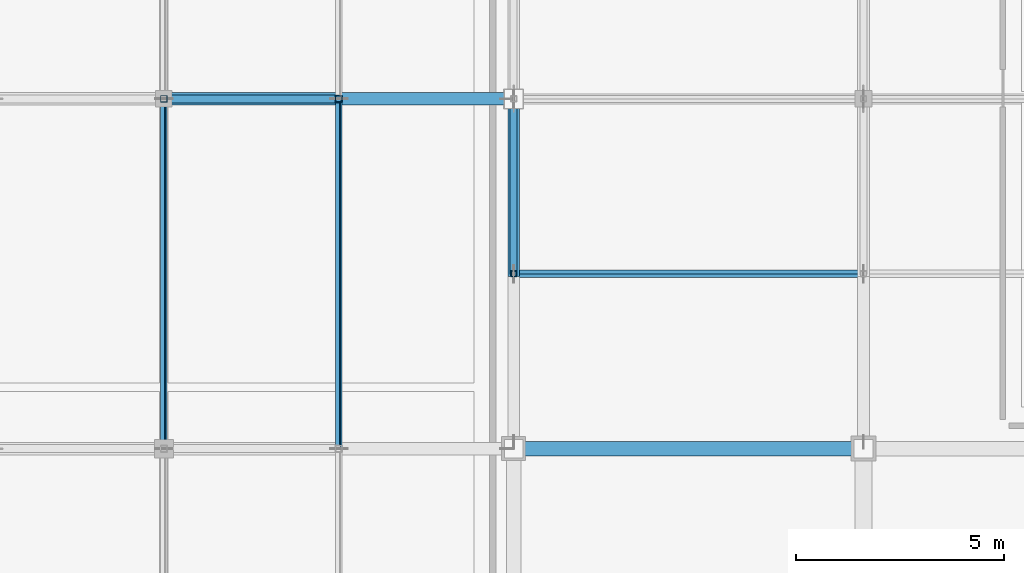
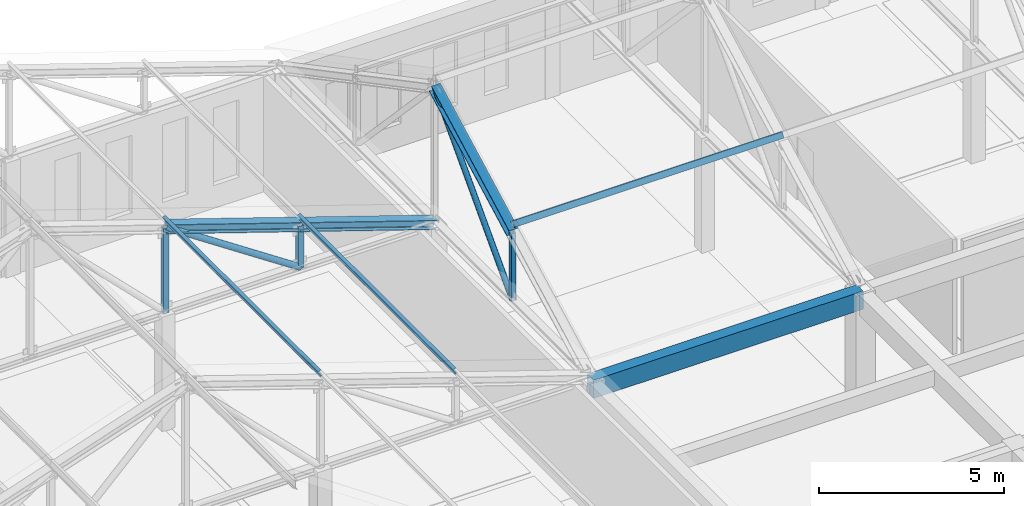
# One storey, part 16 of 56: 11 members, 1 beam.
"""IFC4 building model written with IfcOpenShell, lengths in metres."""

from ifc_helpers import new_model, si_unit, direction, frame, origin, origin_2d, place, context, subcontext, project, spatial, rectangle, hollow_rectangle, hollow_circle, i_section, extrude, material, material_profile, profile_set, type_object, element, save


model = new_model("IFC4")

# Units and contexts
model_context = context("Model", 3, precision=1e-05, world=origin(), true_north=direction((0.0, 1.0)))
body_context = subcontext(model_context, "Body", "Model", "MODEL_VIEW")
ifc_project = project(units=[si_unit("LENGTHUNIT", "METRE"), si_unit("AREAUNIT", "SQUARE_METRE"), si_unit("VOLUMEUNIT", "CUBIC_METRE"), si_unit("PLANEANGLEUNIT", "RADIAN"), si_unit("MASSUNIT", "GRAM", prefix="KILO")], contexts=[model_context])

# Site, building, storey
site_placement = place(None, origin())
site = spatial("IfcSite", under=ifc_project, at=site_placement, CompositionType="ELEMENT")
building_placement = place(site_placement, origin())
building = spatial("IfcBuilding", under=site, at=building_placement, Name="Kveldsbrygga Polytechnic", CompositionType="ELEMENT")
storey_placement = place(building_placement, frame((0.0, 0.0, 18.02001953125)))
storey = spatial("IfcBuildingStorey", under=building, at=storey_placement, Name="L04", CompositionType="ELEMENT", Elevation=18.02001953125)

# Beam
ifc_material_1 = material(Name="Concrete C35/45", Category="concrete")
ifc_material_profile_1 = material_profile(ifc_material_1, rectangle(XDim=0.35009765625, YDim=0.60009765625, at=origin_2d()), Name="RC 350x600")
ifc_profile_set_1 = profile_set([ifc_material_profile_1], Name="Concrete C35/45")
beam_type = type_object("IfcBeamType", Name="BM-SPANDREL-600", PredefinedType="T_BEAM", material=ifc_profile_set_1)
beam_placement = place(storey_placement, frame((126.0, 100.800048828125, 3.47998046875), z_axis=(1.0, 0.0, 0.0), x_axis=(0.0, 1.0, 0.0)))
element("IfcBeam", 1, at=beam_placement, inside=storey, type_object=beam_type, Name="Primary Beam BMX-L04-15to16-12", PredefinedType="T_BEAM", context=body_context, shape_type="SweptSolid", body=[
    extrude(rectangle(XDim=0.35009765625, YDim=0.60009765625, at=origin_2d()), origin(), (0.0, 0.0, 1.0), 8.39990234375),
])

# Members
ifc_material_2 = material(Name="Steel S355", Category="steel")
ifc_material_profile_2 = material_profile(ifc_material_2, hollow_circle(Radius=0.084228515625, WallThickness=0.010009765625, at=origin_2d()), Name="CHS 168.3x10.0")
ifc_profile_set_2 = profile_set([ifc_material_profile_2], Name="Steel S355")
member_type_1 = type_object("IfcMemberType", Name="BR-WIND-CHS168", PredefinedType="BRACE", material=ifc_profile_set_2)
member_1_placement = place(storey_placement, frame((126.0, 105.0, 3.780029296875), z_axis=(0.0, 0.686383320151, 0.727239945148), x_axis=(-1.0, 0.0, 0.0)))
element("IfcMember", 2, at=member_1_placement, inside=storey, type_object=member_type_1, Name="Truss Diagonal V4N5-T01-DG-2", PredefinedType="BRACE", context=body_context, shape_type="SweptSolid", body=[
    extrude(hollow_circle(Radius=0.084228515625, WallThickness=0.010009765625, at=origin_2d()), origin(), (0.0, 0.0, 1.0), 6.118896484375),
])
ifc_material_profile_3 = material_profile(ifc_material_2, i_section(OverallWidth=0.10009765625, OverallDepth=0.199951171875, WebThickness=0.005615234375, FlangeThickness=0.008544921875, FilletRadius=0.011962890625, at=origin_2d()), Name="IPE 200")
ifc_profile_set_3 = profile_set([ifc_material_profile_3], Name="Steel S355")
member_type_2 = type_object("IfcMemberType", Name="PRL-IPE200", PredefinedType="PURLIN", material=ifc_profile_set_3)
for number, where, z_axis, x_axis, name in (
    (3, (117.60009765625, 100.800048828125, 6.838134765625), (0.0, 1.0, 0.0), (-0.948683567514, 0.0, -0.316226957624), "Roof Purlin V4NE5-PRL-3-4"),
    (4, (121.800048828125, 100.800048828125, 5.438232421875), (0.0, 1.0, 0.0), (-0.948683567514, 0.0, -0.316226957624), "Roof Purlin V4NE5-PRL-3-5"),
):
    element("IfcMember", number, at=place(storey_placement, frame(where, z_axis=z_axis, x_axis=x_axis)), inside=storey, type_object=member_type_2, Name=name, PredefinedType="PURLIN", context=body_context, shape_type="SweptSolid", body=[
        extrude(i_section(OverallWidth=0.10009765625, OverallDepth=0.199951171875, WebThickness=0.005615234375, FlangeThickness=0.008544921875, FilletRadius=0.011962890625, at=origin_2d()), origin(), (0.0, 0.0, 1.0), 8.39990234375),
    ])
ifc_material_profile_4 = material_profile(ifc_material_2, hollow_rectangle(XDim=0.10009765625, YDim=0.179931640625, WallThickness=0.008056640625, at=origin_2d()), Name="RHS 180x100x8.0")
ifc_profile_set_4 = profile_set([ifc_material_profile_4], Name="Steel S355")
member_type_3 = type_object("IfcMemberType", Name="PRL-RHS180", PredefinedType="PURLIN", material=ifc_profile_set_4)
member_2_placement = place(storey_placement, frame((126.0, 105.0, 6.265380859375), z_axis=(1.0, 0.0, 0.0), x_axis=(0.0, 0.883660254474, -0.468128779998)))
element("IfcMember", 5, at=member_2_placement, inside=storey, type_object=member_type_3, Name="Roof Purlin V4N5-PRL-1-1", PredefinedType="PURLIN", context=body_context, shape_type="SweptSolid", body=[
    extrude(hollow_rectangle(XDim=0.10009765625, YDim=0.179931640625, WallThickness=0.008056640625, at=origin_2d()), origin(), (0.0, 0.0, 1.0), 8.39990234375),
])
ifc_material_profile_5 = material_profile(ifc_material_2, hollow_circle(Radius=0.096923828125, WallThickness=0.010009765625, at=origin_2d()), Name="CHS 193.7x10.0")
ifc_profile_set_5 = profile_set([ifc_material_profile_5], Name="Steel S355")
member_type_4 = type_object("IfcMemberType", Name="TR-DIAG-CHS194", PredefinedType="BRACE", material=ifc_profile_set_5)
member_3_placement = place(storey_placement, frame((117.60009765625, 109.199951171875, 6.580078125), z_axis=(0.832042853317, 0.0, -0.554711357594), x_axis=(0.0, 1.0, 0.0)))
element("IfcMember", 6, at=member_3_placement, inside=storey, type_object=member_type_4, Name="Truss Diagonal V4NE5-T04-DG-5", PredefinedType="BRACE", context=body_context, shape_type="SweptSolid", body=[
    extrude(hollow_circle(Radius=0.096923828125, WallThickness=0.010009765625, at=origin_2d()), origin(), (0.0, 0.0, 1.0), 5.0478515625),
])
ifc_material_profile_6 = material_profile(ifc_material_2, hollow_rectangle(XDim=0.139892578125, YDim=0.139892578125, WallThickness=0.008056640625, at=origin_2d()), Name="SHS 140x140x8.0")
ifc_profile_set_6 = profile_set([ifc_material_profile_6], Name="Steel S355")
member_type_5 = type_object("IfcMemberType", Name="TR-POST-SHS140", PredefinedType="STRUT", material=ifc_profile_set_6)
member_4_placement = place(storey_placement, frame((126.0, 105.0, 3.780029296875), z_axis=(0.0, 0.0, 1.0), x_axis=(1.0, 0.0, 0.0)))
element("IfcMember", 7, at=member_4_placement, inside=storey, type_object=member_type_5, Name="Truss Vertical V4N5-T01-VT-1", PredefinedType="STRUT", context=body_context, shape_type="SweptSolid", body=[
    extrude(hollow_rectangle(XDim=0.139892578125, YDim=0.139892578125, WallThickness=0.008056640625, at=origin_2d()), origin(), (0.0, 0.0, 1.0), 2.224853515625),
])
ifc_material_profile_7 = material_profile(ifc_material_2, hollow_rectangle(XDim=0.159912109375, YDim=0.159912109375, WallThickness=0.010009765625, at=origin_2d()), Name="SHS 160x160x10.0")
ifc_profile_set_7 = profile_set([ifc_material_profile_7], Name="Steel S355")
member_type_6 = type_object("IfcMemberType", Name="TR-POST-SHS160", PredefinedType="STRUT", material=ifc_profile_set_7)
member_5_placement = place(storey_placement, frame((117.60009765625, 109.199951171875, 3.780029296875), z_axis=(0.0, 0.0, 1.0), x_axis=(1.0, 0.0, 0.0)))
element("IfcMember", 8, at=member_5_placement, inside=storey, type_object=member_type_6, Name="Truss Vertical V4NE5-T04-VT-4", PredefinedType="STRUT", context=body_context, shape_type="SweptSolid", body=[
    extrude(hollow_rectangle(XDim=0.159912109375, YDim=0.159912109375, WallThickness=0.010009765625, at=origin_2d()), origin(), (0.0, 0.0, 1.0), 2.800048828125),
])
member_6_placement = place(storey_placement, frame((121.800048828125, 109.199951171875, 3.780029296875), z_axis=(0.0, 0.0, 1.0), x_axis=(1.0, 0.0, 0.0)))
element("IfcMember", 9, at=member_6_placement, inside=storey, type_object=member_type_6, Name="Truss Vertical V4NE5-T04-VT-5", PredefinedType="STRUT", context=body_context, shape_type="SweptSolid", body=[
    extrude(hollow_rectangle(XDim=0.159912109375, YDim=0.159912109375, WallThickness=0.010009765625, at=origin_2d()), origin(), (0.0, 0.0, 1.0), 1.39990234375),
])
ifc_material_profile_8 = material_profile(ifc_material_2, i_section(OverallWidth=0.300048828125, OverallDepth=0.2900390625, WebThickness=0.008544921875, FlangeThickness=0.013916015625, FilletRadius=0.027099609375, at=origin_2d()), Name="HEA 300")
ifc_profile_set_8 = profile_set([ifc_material_profile_8], Name="Steel S355")
member_type_7 = type_object("IfcMemberType", Name="TR-TOP-HEA300", PredefinedType="CHORD", material=ifc_profile_set_8)
member_7_placement = place(storey_placement, frame((117.60009765625, 109.199951171875, 6.580078125), z_axis=(0.948672268324, 0.0, -0.316260853272), x_axis=(0.0, 1.0, 0.0)))
element("IfcMember", 10, at=member_7_placement, inside=storey, type_object=member_type_7, Name="Truss Top Chord V4NE5-T04-TC-5", PredefinedType="CHORD", context=body_context, shape_type="SweptSolid", body=[
    extrude(i_section(OverallWidth=0.300048828125, OverallDepth=0.2900390625, WebThickness=0.008544921875, FlangeThickness=0.013916015625, FilletRadius=0.027099609375, at=origin_2d()), origin(), (0.0, 0.0, 1.0), 4.42724609375),
])
member_8_placement = place(storey_placement, frame((121.800048828125, 109.199951171875, 5.179931640625), z_axis=(0.948688812577, 0.0, -0.316211221956), x_axis=(0.0, 1.0, 0.0)))
element("IfcMember", 11, at=member_8_placement, inside=storey, type_object=member_type_7, Name="Truss Top Chord V4NE5-T04-TC-6", PredefinedType="CHORD", context=body_context, shape_type="SweptSolid", body=[
    extrude(i_section(OverallWidth=0.300048828125, OverallDepth=0.2900390625, WebThickness=0.008544921875, FlangeThickness=0.013916015625, FilletRadius=0.027099609375, at=origin_2d()), origin(), (0.0, 0.0, 1.0), 4.427001953125),
])
ifc_material_profile_9 = material_profile(ifc_material_2, i_section(OverallWidth=0.280029296875, OverallDepth=0.280029296875, WebThickness=0.010498046875, FlangeThickness=0.01806640625, FilletRadius=0.02392578125, at=origin_2d()), Name="HEB 280")
ifc_profile_set_9 = profile_set([ifc_material_profile_9], Name="Steel S355")
member_type_8 = type_object("IfcMemberType", Name="TR-TOP-HEB280", PredefinedType="CHORD", material=ifc_profile_set_9)
member_9_placement = place(storey_placement, frame((126.0, 105.0, 6.0048828125), z_axis=(0.0, 0.883649189339, 0.468149666432), x_axis=(-1.0, 0.0, 0.0)))
element("IfcMember", 12, at=member_9_placement, inside=storey, type_object=member_type_8, Name="Truss Top Chord V4N5-T01-TC-2", PredefinedType="CHORD", context=body_context, shape_type="SweptSolid", body=[
    extrude(i_section(OverallWidth=0.280029296875, OverallDepth=0.280029296875, WebThickness=0.010498046875, FlangeThickness=0.01806640625, FilletRadius=0.02392578125, at=origin_2d()), origin(), (0.0, 0.0, 1.0), 4.7529296875),
])

save(model, "model.ifc")
